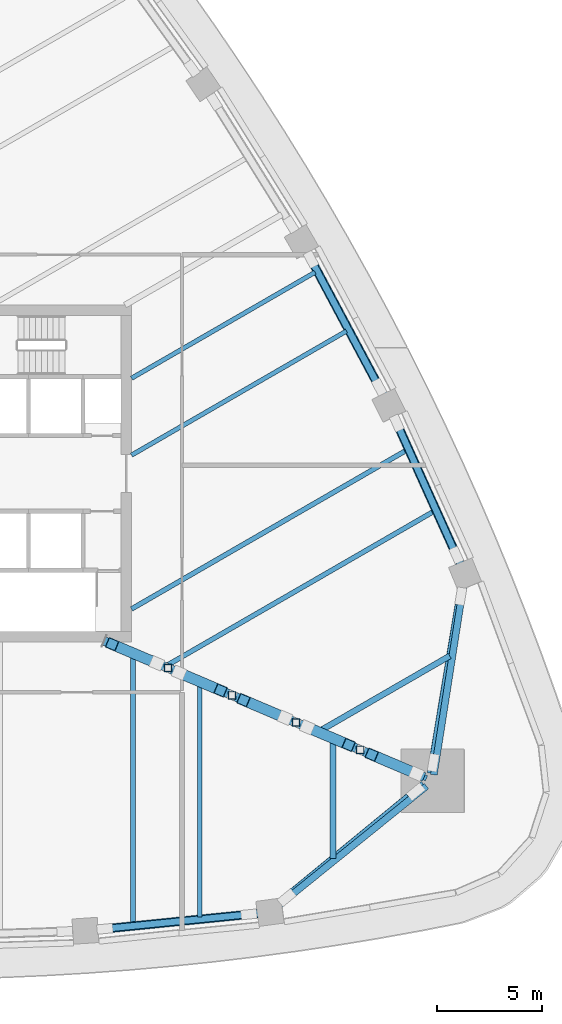
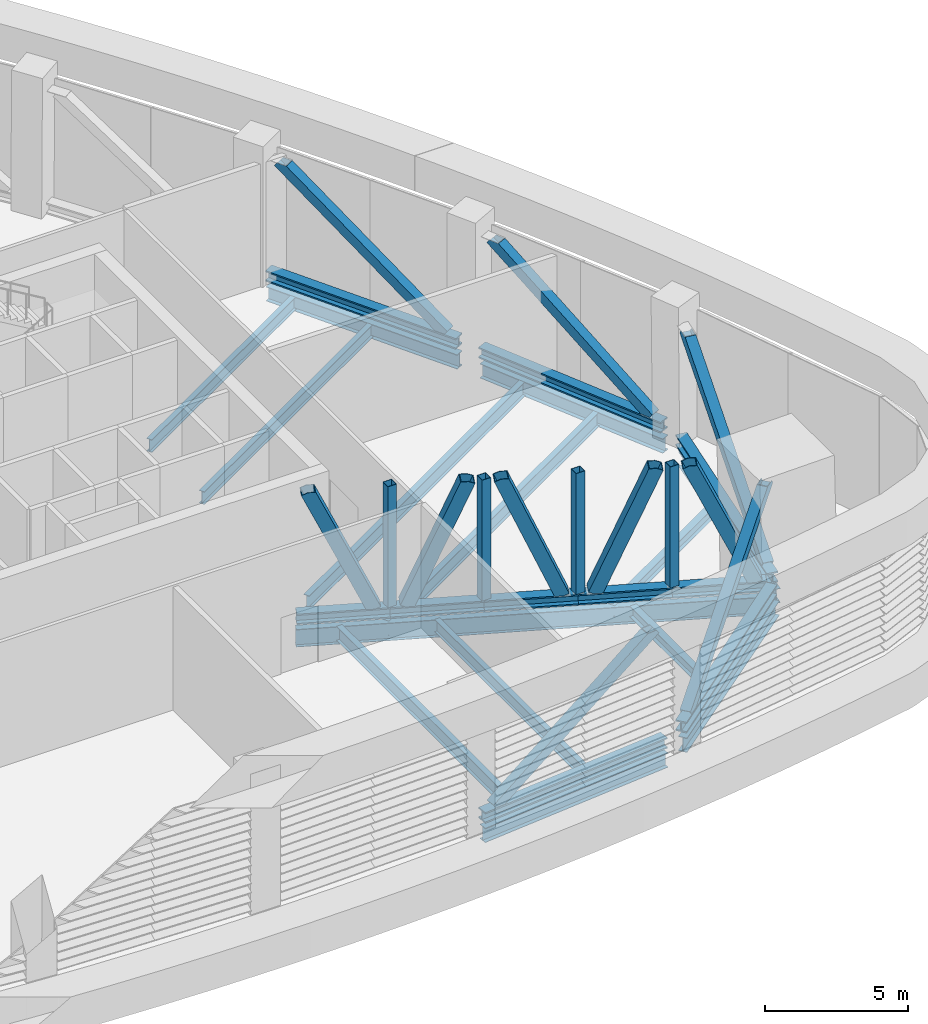
# One storey, part 3 of 18: 24 beams, 14 members.
"""IFC4 building model written with IfcOpenShell, lengths in metres."""

import ifcopenshell
import ifcopenshell.guid

model = None  # the IFC model being written
_history = None  # IfcOwnerHistory: only IFC2X3 demands one
_inside = {}  # id of a spatial element -> (the spatial element, [elements in it])
_under = {}  # id of a project, library or spatial element -> (it, [spatial elements below it])
_declared = {}  # id of a project -> (the project, [libraries it declares])
_typed = {}  # id of a type object -> (the type object, [elements of that type])
_made_of = {}  # id of a material, layer set ... -> (it, [elements and type objects made of it])


def new_model(schema):
    """Start an empty IFC model of exactly this schema.

    Asked for "IFC4X3", IfcOpenShell would pick the latest addendum, in which some entities
    have other attributes; the version numbers below select the first issue.
    IFC2X3 requires an IfcOwnerHistory on every rooted entity: one is made here for all.
    """
    global model, _history
    if schema == "IFC4X3":
        model = ifcopenshell.file(schema_version=(4, 3, 0, 0))
    else:
        model = ifcopenshell.file(schema=schema)
    _inside.clear()
    _under.clear()
    _declared.clear()
    _typed.clear()
    _made_of.clear()
    _history = None
    if model.schema == "IFC2X3":
        org = make("IfcOrganization", Name="unknown")
        user = make(
            "IfcPersonAndOrganization",
            ThePerson=make("IfcPerson", FamilyName="unknown"),
            TheOrganization=org,
        )
        app = make(
            "IfcApplication",
            ApplicationDeveloper=org,
            Version="unknown",
            ApplicationFullName="unknown",
            ApplicationIdentifier="unknown",
        )
        _history = make(
            "IfcOwnerHistory",
            OwningUser=user,
            OwningApplication=app,
            ChangeAction="ADDED",
            CreationDate=0,
        )
    return model


def make(cls, **values):
    """One entity of the class cls with the attributes given. An attribute that is None is left unset."""
    return model.create_entity(
        cls, **{name: value for name, value in values.items() if value is not None}
    )


def rooted(cls, **values):
    """An entity with a GlobalId (a new one), such as an element, a storey or a relation."""
    return make(cls, GlobalId=ifcopenshell.guid.new(), OwnerHistory=_history, **values)


def si_unit(unit_type, name, prefix=None):
    """IfcSIUnit, for example si_unit("LENGTHUNIT", "METRE", prefix="MILLI")."""
    return make("IfcSIUnit", UnitType=unit_type, Prefix=prefix, Name=name)


def assignment(units):
    """IfcUnitAssignment: the units of a project."""
    return None if units is None else make("IfcUnitAssignment", Units=units)


def point(xyz):
    """IfcCartesianPoint."""
    return None if xyz is None else make("IfcCartesianPoint", Coordinates=xyz)


def direction(xyz):
    """IfcDirection."""
    return None if xyz is None else make("IfcDirection", DirectionRatios=xyz)


def frame(location, z_axis=None, x_axis=None):
    """IfcAxis2Placement3D, a coordinate frame: its origin and axes. An axis left out is left unset."""
    return make(
        "IfcAxis2Placement3D",
        Location=point(location),
        Axis=direction(z_axis),
        RefDirection=direction(x_axis),
    )


def frame_2d(location, x_axis=None):
    """IfcAxis2Placement2D, a coordinate frame in the plane: its origin and x axis."""
    return make(
        "IfcAxis2Placement2D", Location=point(location), RefDirection=direction(x_axis)
    )


def origin():
    """The frame at (0, 0, 0) with its axes left unset."""
    return frame((0.0, 0.0, 0.0))


def origin_2d():
    """The frame at (0, 0) in the plane with its x axis left unset."""
    return frame_2d((0.0, 0.0))


def place(relative_to, where):
    """IfcLocalPlacement: puts the frame where relative to a parent placement (None: the world)."""
    return make(
        "IfcLocalPlacement", PlacementRelTo=relative_to, RelativePlacement=where
    )


def context(
    kind, dimensions, precision=None, world=None, true_north=None, identifier=None
):
    """IfcGeometricRepresentationContext, for example the 3D "Model" context."""
    return make(
        "IfcGeometricRepresentationContext",
        ContextIdentifier=identifier,
        ContextType=kind,
        CoordinateSpaceDimension=dimensions,
        Precision=precision,
        WorldCoordinateSystem=world,
        TrueNorth=true_north,
    )


def subcontext(parent, identifier, kind, view, scale=None):
    """IfcGeometricRepresentationSubContext, for example "Body" below "Model"."""
    return make(
        "IfcGeometricRepresentationSubContext",
        ContextIdentifier=identifier,
        ContextType=kind,
        ParentContext=parent,
        TargetScale=scale,
        TargetView=view,
    )


def project(units=None, contexts=None):
    """IfcProject with its units and contexts."""
    return rooted(
        "IfcProject",
        Name="project",
        RepresentationContexts=contexts,
        UnitsInContext=assignment(units),
    )


def spatial(cls, under=None, at=None, **own):
    """A site, building, storey or space (cls), placed at a placement, below another one or the project."""
    s = rooted(cls, ObjectPlacement=at, **own)
    if under is not None:
        _under.setdefault(under.id(), (under, []))[1].append(s)
    return s


def profile(cls, at=None, kind="AREA", **sizes):
    """A parametric profile (cls). Its sizes go by their IFC names, for example OverallWidth=200.0."""
    return make(cls, ProfileType=kind, Position=at, **sizes)


def hollow_rectangle(**sizes):
    """IfcRectangleHollowProfileDef."""
    return profile("IfcRectangleHollowProfileDef", **sizes)


def i_section(**sizes):
    """IfcIShapeProfileDef."""
    return profile("IfcIShapeProfileDef", **sizes)


def extrude(swept, where, along, depth):
    """IfcExtrudedAreaSolid: the profile swept, set in the frame where, extruded along a direction by depth."""
    return make(
        "IfcExtrudedAreaSolid",
        SweptArea=swept,
        Position=where,
        ExtrudedDirection=direction(along),
        Depth=depth,
    )


def clip(a, b, op="DIFFERENCE"):
    """IfcBooleanClippingResult: the solid a cut by the half space b."""
    return make(
        "IfcBooleanClippingResult", Operator=op, FirstOperand=a, SecondOperand=b
    )


def halfspace(plane, agree):
    """IfcHalfSpaceSolid: all space on one side of the plane z = 0 of the frame plane."""
    return make(
        "IfcHalfSpaceSolid",
        BaseSurface=make("IfcPlane", Position=plane),
        AgreementFlag=agree,
    )


def shape(context_of_items, identifier, shape_type, items):
    """IfcShapeRepresentation: the items that make up one representation, for example the "Body"."""
    return make(
        "IfcShapeRepresentation",
        ContextOfItems=context_of_items,
        RepresentationIdentifier=identifier,
        RepresentationType=shape_type,
        Items=items,
    )


def material(Name=None, Category=None):
    """IfcMaterial."""
    return make("IfcMaterial", Name=Name, Category=Category)


def material_profile(
    of_material, cross_section, Name=None, Category=None, Priority=None
):
    """IfcMaterialProfile: a cross section and its material."""
    return make(
        "IfcMaterialProfile",
        Name=Name,
        Material=of_material,
        Profile=cross_section,
        Priority=Priority,
        Category=Category,
    )


def profile_set(profiles, Name=None, composite=None):
    """IfcMaterialProfileSet."""
    return make(
        "IfcMaterialProfileSet",
        Name=Name,
        MaterialProfiles=profiles,
        CompositeProfile=composite,
    )


def made_of(thing, what):
    """Note that an element or type object is made of a material, layer set ...; save() writes the relation."""
    if what is not None:
        _made_of.setdefault(what.id(), (what, []))[1].append(thing)
    return thing


def type_object(cls, material=None, **own):
    """A type object (cls), such as IfcWallType, which elements share."""
    return made_of(rooted(cls, **own), material)


def element(
    cls,
    number,
    at=None,
    inside=None,
    cuts=None,
    type_object=None,
    material=None,
    context=None,
    identifier="Body",
    shape_type=None,
    held_by="IfcProductDefinitionShape",
    body=None,
    shapes=None,
    **own,
):
    """One element of the class cls, such as IfcWall. Its Tag is "e" and its number.

    at: its placement. inside: the storey or other place that contains it. cuts: it is an
    opening in that element (IfcRelVoidsElement). A single representation is given by context,
    identifier, shape_type and body (its items); several are given by shapes. held_by: the class
    of the entity that holds the representations. save() writes the other relations.
    """
    e = rooted(cls, Tag="e%d" % number, ObjectPlacement=at, **own)
    if body is not None:
        shapes = [shape(context, identifier, shape_type, body)]
    if shapes is not None:
        e.Representation = make(held_by, Representations=shapes)
    if inside is not None:
        _inside.setdefault(inside.id(), (inside, []))[1].append(e)
    if cuts is not None:
        rooted(
            "IfcRelVoidsElement", RelatingBuildingElement=cuts, RelatedOpeningElement=e
        )
    if type_object is not None:
        _typed.setdefault(type_object.id(), (type_object, []))[1].append(e)
    return made_of(e, material)


def aggregate(whole, parts):
    """IfcRelAggregates: a whole, such as a stair, and the parts it consists of."""
    return rooted("IfcRelAggregates", RelatingObject=whole, RelatedObjects=parts)


def save(model, path):
    """Write the relations noted so far, then the file.

    IfcRelAggregates (storeys below a building ...), IfcRelContainedInSpatialStructure (elements
    in a storey), IfcRelDefinesByType, IfcRelAssociatesMaterial and IfcRelDeclares: one each for
    every whole, place, type object, material and project.
    """
    for whole, parts in _under.values():
        aggregate(whole, parts)
    for where, things in _inside.values():
        rooted(
            "IfcRelContainedInSpatialStructure",
            RelatedElements=things,
            RelatingStructure=where,
        )
    for kind, things in _typed.values():
        rooted("IfcRelDefinesByType", RelatedObjects=things, RelatingType=kind)
    for what, things in _made_of.values():
        rooted("IfcRelAssociatesMaterial", RelatedObjects=things, RelatingMaterial=what)
    for by, libraries in _declared.values():
        rooted("IfcRelDeclares", RelatingContext=by, RelatedDefinitions=libraries)
    model.write(path)


model = new_model("IFC4")

# Units and contexts
model_context = context("Model", 3, precision=1e-05, world=origin(), true_north=direction((0.0, 1.0)))
body_context = subcontext(model_context, "Body", "Model", "MODEL_VIEW")
ifc_project = project(units=[si_unit("LENGTHUNIT", "METRE"), si_unit("AREAUNIT", "SQUARE_METRE"), si_unit("VOLUMEUNIT", "CUBIC_METRE"), si_unit("PLANEANGLEUNIT", "RADIAN"), si_unit("MASSUNIT", "GRAM", prefix="KILO")], contexts=[model_context])

# Site, building, storey
site_placement = place(None, origin())
site = spatial("IfcSite", under=ifc_project, at=site_placement, CompositionType="ELEMENT")
building_placement = place(site_placement, origin())
building = spatial("IfcBuilding", under=site, at=building_placement, Name="Sierra Prisma Convention Tower", CompositionType="ELEMENT")
storey_placement = place(building_placement, frame((0.0, 0.0, 112.60009765625)))
storey = spatial("IfcBuildingStorey", under=building, at=storey_placement, Name="L24", CompositionType="ELEMENT", Elevation=112.60009765625)

# Beams
ifc_material_1 = material(Name="Steel ASTM A992 Gr 50", Category="steel")
ifc_material_profile_1 = material_profile(ifc_material_1, i_section(OverallWidth=0.280029296875, OverallDepth=0.462890625, WebThickness=0.0107421875, FlangeThickness=0.017333984375, at=origin_2d()), Name="W460x113")
ifc_profile_set_1 = profile_set([ifc_material_profile_1], Name="Steel ASTM A992 Gr 50")
beam_type_1 = type_object("IfcBeamType", Name="Plant floor joist W460x113", PredefinedType="JOIST", material=ifc_profile_set_1)
beam_1_placement = place(storey_placement, frame((20.573486328125, -18.2880859375, -0.481689453125), z_axis=(0.0, 1.0, 0.0), x_axis=(-1.0, 0.0, 0.0)))
element("IfcBeam", 1, at=beam_1_placement, inside=storey, type_object=beam_type_1, Name="Floor joist L24 S15", PredefinedType="JOIST", context=body_context, shape_type="SweptSolid", body=[
    extrude(i_section(OverallWidth=0.280029296875, OverallDepth=0.462890625, WebThickness=0.0107421875, FlangeThickness=0.017333984375, at=origin_2d()), origin(), (0.0, 0.0, 1.0), 5.635986328125),
])
beam_2_placement = place(storey_placement, frame((26.12451171875, -8.673095703125, -0.481689453125), z_axis=(-0.86602732995, -0.499996663769, 0.0), x_axis=(0.499996663769, -0.86602732995, 0.0)))
element("IfcBeam", 2, at=beam_2_placement, inside=storey, type_object=beam_type_1, Name="Floor joist L24 NE02", PredefinedType="JOIST", context=body_context, shape_type="SweptSolid", body=[
    extrude(i_section(OverallWidth=0.280029296875, OverallDepth=0.462890625, WebThickness=0.0107421875, FlangeThickness=0.017333984375, at=origin_2d()), origin(), (0.0, 0.0, 1.0), 7.16748046875),
])
ifc_material_2 = material(Name="Steel ASTM A992 Gr 50", Category="steel")
ifc_material_profile_2 = material_profile(ifc_material_2, i_section(OverallWidth=0.2119140625, OverallDepth=0.5439453125, WebThickness=0.01318359375, FlangeThickness=0.021240234375, at=origin_2d()), Name="W530x123")
ifc_profile_set_2 = profile_set([ifc_material_profile_2], Name="Steel ASTM A992 Gr 50")
beam_type_2 = type_object("IfcBeamType", Name="Plant floor joist W530x123", PredefinedType="JOIST", material=ifc_profile_set_2)
beam_3_placement = place(storey_placement, frame((14.2431640625, -21.07421875, -0.522216796875), z_axis=(0.0, 1.0, 0.0), x_axis=(-1.0, 0.0, 0.0)))
element("IfcBeam", 3, at=beam_3_placement, inside=storey, type_object=beam_type_2, Name="Floor joist L24 S13", PredefinedType="JOIST", context=body_context, shape_type="SweptSolid", body=[
    extrude(i_section(OverallWidth=0.2119140625, OverallDepth=0.5439453125, WebThickness=0.01318359375, FlangeThickness=0.021240234375, at=origin_2d()), origin(), (0.0, 0.0, 1.0), 11.121826171875),
])
beam_4_placement = place(storey_placement, frame((21.215087890625, 6.766357421875, -0.522216796875), z_axis=(-0.866024620579, -0.500001356548, 0.0), x_axis=(0.500001356548, -0.866024620579, 0.0)))
element("IfcBeam", 4, at=beam_4_placement, inside=storey, type_object=beam_type_2, Name="Floor joist L24 NE07", PredefinedType="JOIST", context=body_context, shape_type="SweptSolid", body=[
    extrude(i_section(OverallWidth=0.2119140625, OverallDepth=0.5439453125, WebThickness=0.01318359375, FlangeThickness=0.021240234375, at=origin_2d()), origin(), (0.0, 0.0, 1.0), 11.79541015625),
])
beam_5_placement = place(storey_placement, frame((19.72412109375, 9.560302734375, -0.522216796875), z_axis=(-0.866025766036, -0.499999372561, 0.0), x_axis=(0.499999372561, -0.866025766036, 0.0)))
element("IfcBeam", 5, at=beam_5_placement, inside=storey, type_object=beam_type_2, Name="Floor joist L24 NE08", PredefinedType="JOIST", context=body_context, shape_type="SweptSolid", body=[
    extrude(i_section(OverallWidth=0.2119140625, OverallDepth=0.5439453125, WebThickness=0.01318359375, FlangeThickness=0.021240234375, at=origin_2d()), origin(), (0.0, 0.0, 1.0), 10.07373046875),
])
ifc_material_3 = material(Name="Steel ASTM A992 Gr 50", Category="steel")
ifc_material_profile_3 = material_profile(ifc_material_3, i_section(OverallWidth=0.22900390625, OverallDepth=0.612060546875, WebThickness=0.011962890625, FlangeThickness=0.01953125, at=origin_2d()), Name="W610x125")
ifc_profile_set_3 = profile_set([ifc_material_profile_3], Name="Steel ASTM A992 Gr 50")
beam_type_3 = type_object("IfcBeamType", Name="Plant floor joist W610x125", PredefinedType="JOIST", material=ifc_profile_set_3)
beam_6_placement = place(storey_placement, frame((11.077880859375, -21.39208984375, -0.55615234375), z_axis=(0.0, 1.0, 0.0), x_axis=(-1.0, 0.0, 0.0)))
element("IfcBeam", 6, at=beam_6_placement, inside=storey, type_object=beam_type_3, Name="Floor joist L24 S12", PredefinedType="JOIST", context=body_context, shape_type="SweptSolid", body=[
    extrude(i_section(OverallWidth=0.22900390625, OverallDepth=0.612060546875, WebThickness=0.011962890625, FlangeThickness=0.01953125, at=origin_2d()), origin(), (0.0, 0.0, 1.0), 12.78955078125),
])
beam_7_placement = place(storey_placement, frame((25.372314453125, -1.7978515625, -0.55615234375), z_axis=(-0.866024978935, -0.500000735859, 0.0), x_axis=(0.500000735859, -0.866024978935, 0.0)))
element("IfcBeam", 7, at=beam_7_placement, inside=storey, type_object=beam_type_3, Name="Floor joist L24 NE04", PredefinedType="JOIST", context=body_context, shape_type="SweptSolid", body=[
    extrude(i_section(OverallWidth=0.22900390625, OverallDepth=0.612060546875, WebThickness=0.011962890625, FlangeThickness=0.01953125, at=origin_2d()), origin(), (0.0, 0.0, 1.0), 14.70751953125),
])
beam_8_placement = place(storey_placement, frame((24.065185546875, 1.102294921875, -0.55615234375), z_axis=(-0.866024700633, -0.500001217892, 0.0), x_axis=(0.500001217892, -0.866024700633, 0.0)))
element("IfcBeam", 8, at=beam_8_placement, inside=storey, type_object=beam_type_3, Name="Floor joist L24 NE05", PredefinedType="JOIST", context=body_context, shape_type="SweptSolid", body=[
    extrude(i_section(OverallWidth=0.22900390625, OverallDepth=0.612060546875, WebThickness=0.011962890625, FlangeThickness=0.01953125, at=origin_2d()), origin(), (0.0, 0.0, 1.0), 15.08642578125),
])
ifc_material_4 = material(Name="Steel ASTM A992 Gr 50", Category="steel")
ifc_material_profile_4 = material_profile(ifc_material_4, i_section(OverallWidth=0.264892578125, OverallDepth=0.7529296875, WebThickness=0.01318359375, FlangeThickness=0.01708984375, at=origin_2d()), Name="W760x147")
ifc_profile_set_4 = profile_set([ifc_material_profile_4], Name="Steel ASTM A992 Gr 50")
beam_type_4 = type_object("IfcBeamType", Name="Radial girder W760x147", PredefinedType="BEAM", material=ifc_profile_set_4)
beam_9_placement = place(storey_placement, frame((25.02099609375, -14.4912109375, -0.626708984375), z_axis=(-0.919843646703, 0.392285184043, 0.0), x_axis=(-0.392285184043, -0.919843646703, 0.0)))
element("IfcBeam", 9, at=beam_9_placement, inside=storey, type_object=beam_type_4, Name="Radial girder L24 SE", PredefinedType="BEAM", context=body_context, shape_type="SweptSolid", body=[
    extrude(i_section(OverallWidth=0.264892578125, OverallDepth=0.7529296875, WebThickness=0.01318359375, FlangeThickness=0.01708984375, at=origin_2d()), origin(), (0.0, 0.0, 1.0), 16.667236328125),
])
ifc_material_5 = material(Name="Steel ASTM A992 Gr 50", Category="steel")
ifc_material_profile_5 = material_profile(ifc_material_5, i_section(OverallWidth=0.324951171875, OverallDepth=0.615966796875, WebThickness=0.013916015625, FlangeThickness=0.021484375, at=origin_2d()), Name="W610x174")
ifc_profile_set_5 = profile_set([ifc_material_profile_5], Name="Steel ASTM A992 Gr 50")
beam_type_5 = type_object("IfcBeamType", Name="Spandrel beam W610x174", PredefinedType="BEAM", material=ifc_profile_set_5)
beam_10_placement = place(storey_placement, frame((9.293212890625, -21.684814453125, -0.55810546875), z_axis=(0.994991258504, 0.099961970275, 0.0), x_axis=(-0.099961970275, 0.994991258504, 0.0)))
element("IfcBeam", 10, at=beam_10_placement, inside=storey, type_object=beam_type_5, Name="Spandrel L24-05", PredefinedType="BEAM", context=body_context, shape_type="SweptSolid", body=[
    extrude(i_section(OverallWidth=0.324951171875, OverallDepth=0.615966796875, WebThickness=0.013916015625, FlangeThickness=0.021484375, at=origin_2d()), origin(), (0.0, 0.0, 1.0), 7.859375),
])
beam_11_placement = place(storey_placement, frame((18.0439453125, -20.486083984375, -0.55810546875), z_axis=(0.778503206142, 0.627640628088, 0.0), x_axis=(-0.627640628088, 0.778503206142, 0.0)))
element("IfcBeam", 11, at=beam_11_placement, inside=storey, type_object=beam_type_5, Name="Spandrel L24-06", PredefinedType="BEAM", context=body_context, shape_type="SweptSolid", body=[
    extrude(i_section(OverallWidth=0.324951171875, OverallDepth=0.615966796875, WebThickness=0.013916015625, FlangeThickness=0.021484375, at=origin_2d()), origin(), (0.0, 0.0, 1.0), 8.962158203125),
])
beam_12_placement = place(storey_placement, frame((25.367919921875, -14.319091796875, -0.55810546875), z_axis=(0.154300296879, 0.988023996866, 0.0), x_axis=(-0.988023996866, 0.154300296879, 0.0)))
element("IfcBeam", 12, at=beam_12_placement, inside=storey, type_object=beam_type_5, Name="Spandrel L24-07", PredefinedType="BEAM", context=body_context, shape_type="SweptSolid", body=[
    extrude(i_section(OverallWidth=0.324951171875, OverallDepth=0.615966796875, WebThickness=0.013916015625, FlangeThickness=0.021484375, at=origin_2d()), origin(), (0.0, 0.0, 1.0), 9.044189453125),
])
for number, where, z_axis, x_axis, name in (
    (13, (26.65576171875, -4.370849609375, -0.55810546875), (-0.410905791645, 0.911677810629, 0.0), (-0.911677810629, -0.410905791645, 0.0), "Spandrel L24-08"),
    (14, (23.002685546875, 3.656005859375, -0.55810546875), (-0.470825223161, 0.882226506763, 0.0), (-0.882226506763, -0.470825223161, 0.0), "Spandrel L24-09"),
):
    element("IfcBeam", number, at=place(storey_placement, frame(where, z_axis=z_axis, x_axis=x_axis)), inside=storey, type_object=beam_type_5, Name=name, PredefinedType="BEAM", context=body_context, shape_type="SweptSolid", body=[
        extrude(i_section(OverallWidth=0.324951171875, OverallDepth=0.615966796875, WebThickness=0.013916015625, FlangeThickness=0.021484375, at=origin_2d()), origin(), (0.0, 0.0, 1.0), 7.859375),
    ])
ifc_material_6 = material(Name="Steel ASTM A992 Gr 50", Category="steel")
ifc_material_profile_6 = material_profile(ifc_material_6, i_section(OverallWidth=0.41796875, OverallDepth=0.4580078125, WebThickness=0.036376953125, FlangeThickness=0.05859375, at=origin_2d()), Name="W360x463")
ifc_profile_set_6 = profile_set([ifc_material_profile_6], Name="Steel ASTM A992 Gr 50")
beam_type_6 = type_object("IfcBeamType", Name="Truss chord W360x463", PredefinedType="BEAM", material=ifc_profile_set_6)
beam_13_placement = place(storey_placement, frame((9.260986328125, -21.68994140625, 0.22900390625), z_axis=(0.994984240351, 0.100031802213, 0.0), x_axis=(-0.100031802213, 0.994984240351, 0.0)))
element("IfcBeam", 15, at=beam_13_placement, inside=storey, type_object=beam_type_6, Name="Belt truss L24-05 bottom chord 1", PredefinedType="BEAM", context=body_context, shape_type="SweptSolid", body=[
    extrude(i_section(OverallWidth=0.41796875, OverallDepth=0.4580078125, WebThickness=0.036376953125, FlangeThickness=0.05859375, at=origin_2d()), origin(), (0.0, 0.0, 1.0), 7.8271484375),
])
beam_14_placement = place(storey_placement, frame((17.979248046875, -20.4873046875, 0.22900390625), z_axis=(0.772990491714, 0.634417606722, 0.0), x_axis=(-0.634417606722, 0.772990491714, 0.0)))
element("IfcBeam", 16, at=beam_14_placement, inside=storey, type_object=beam_type_6, Name="Belt truss L24-06 bottom chord 1", PredefinedType="BEAM", context=body_context, shape_type="SweptSolid", body=[
    extrude(i_section(OverallWidth=0.41796875, OverallDepth=0.4580078125, WebThickness=0.036376953125, FlangeThickness=0.05859375, at=origin_2d()), origin(), (0.0, 0.0, 1.0), 8.964111328125),
])
beam_15_placement = place(storey_placement, frame((25.258056640625, -14.254150390625, 0.22900390625), z_axis=(0.162946140063, 0.986634965648, 0.0), x_axis=(-0.986634965648, 0.162946140063, 0.0)))
element("IfcBeam", 17, at=beam_15_placement, inside=storey, type_object=beam_type_6, Name="Belt truss L24-07 bottom chord 1", PredefinedType="BEAM", context=body_context, shape_type="SweptSolid", body=[
    extrude(i_section(OverallWidth=0.41796875, OverallDepth=0.4580078125, WebThickness=0.036376953125, FlangeThickness=0.05859375, at=origin_2d()), origin(), (0.0, 0.0, 1.0), 9.048095703125),
])
for number, where, z_axis, x_axis, name in (
    (18, (26.63037109375, -4.311279296875, 0.22900390625), (-0.410856161502, 0.911700177995, 0.0), (-0.911700177995, -0.410856161502, 0.0), "Belt truss L24-08 bottom chord 1"),
    (19, (22.990966796875, 3.6865234375, 0.22900390625), (-0.470811636761, 0.882233757397, 0.0), (-0.882233757397, -0.470811636761, 0.0), "Belt truss L24-09 bottom chord 1"),
):
    element("IfcBeam", number, at=place(storey_placement, frame(where, z_axis=z_axis, x_axis=x_axis)), inside=storey, type_object=beam_type_6, Name=name, PredefinedType="BEAM", context=body_context, shape_type="SweptSolid", body=[
        extrude(i_section(OverallWidth=0.41796875, OverallDepth=0.4580078125, WebThickness=0.036376953125, FlangeThickness=0.05859375, at=origin_2d()), origin(), (0.0, 0.0, 1.0), 7.8271484375),
    ])
beam_16_placement = place(storey_placement, frame((24.908447265625, -14.426513671875, 0.22900390625), z_axis=(-0.920210642768, 0.391423521184, 0.0), x_axis=(-0.391423521184, -0.920210642768, 0.0)))
element("IfcBeam", 20, at=beam_16_placement, inside=storey, type_object=beam_type_6, Name="Outrigger truss L24 SE bottom chord 1", PredefinedType="BEAM", context=body_context, shape_type="SweptSolid", body=[
    extrude(i_section(OverallWidth=0.41796875, OverallDepth=0.4580078125, WebThickness=0.036376953125, FlangeThickness=0.05859375, at=origin_2d()), origin(), (0.0, 0.0, 1.0), 3.3076171875),
])
beam_17_placement = place(storey_placement, frame((21.86474609375, -13.1318359375, 0.22900390625), z_axis=(-0.920221950484, 0.391396936431, 0.0), x_axis=(-0.391396936431, -0.920221950484, 0.0)))
element("IfcBeam", 21, at=beam_17_placement, inside=storey, type_object=beam_type_6, Name="Outrigger truss L24 SE bottom chord 2", PredefinedType="BEAM", context=body_context, shape_type="SweptSolid", body=[
    extrude(i_section(OverallWidth=0.41796875, OverallDepth=0.4580078125, WebThickness=0.036376953125, FlangeThickness=0.05859375, at=origin_2d()), origin(), (0.0, 0.0, 1.0), 3.307861328125),
])
for number, where, z_axis, x_axis, name in (
    (22, (18.82080078125, -11.837158203125, 0.22900390625), (-0.920210642768, 0.391423521184, 0.0), (-0.391423521184, -0.920210642768, 0.0), "Outrigger truss L24 SE bottom chord 3"),
    (23, (15.777099609375, -10.54248046875, 0.22900390625), (-0.920210642768, 0.391423521184, 0.0), (-0.391423521184, -0.920210642768, 0.0), "Outrigger truss L24 SE bottom chord 4"),
):
    element("IfcBeam", number, at=place(storey_placement, frame(where, z_axis=z_axis, x_axis=x_axis)), inside=storey, type_object=beam_type_6, Name=name, PredefinedType="BEAM", context=body_context, shape_type="SweptSolid", body=[
        extrude(i_section(OverallWidth=0.41796875, OverallDepth=0.4580078125, WebThickness=0.036376953125, FlangeThickness=0.05859375, at=origin_2d()), origin(), (0.0, 0.0, 1.0), 3.3076171875),
    ])
beam_18_placement = place(storey_placement, frame((12.7333984375, -9.247802734375, 0.22900390625), z_axis=(-0.920215441171, 0.391412240266, 0.0), x_axis=(-0.391412240266, -0.920215441171, 0.0)))
element("IfcBeam", 24, at=beam_18_placement, inside=storey, type_object=beam_type_6, Name="Outrigger truss L24 SE bottom chord 5", PredefinedType="BEAM", context=body_context, shape_type="SweptSolid", body=[
    extrude(i_section(OverallWidth=0.41796875, OverallDepth=0.4580078125, WebThickness=0.036376953125, FlangeThickness=0.05859375, at=origin_2d()), origin(), (0.0, 0.0, 1.0), 3.292724609375),
])

# Members
ifc_material_7 = material(Name="Steel ASTM A500 Gr C", Category="steel")
ifc_material_profile_7 = material_profile(ifc_material_7, hollow_rectangle(XDim=0.406005859375, YDim=0.406005859375, WallThickness=0.01904296875, at=origin_2d()), Name="Truss diagonal HSS 406x406x19")
ifc_profile_set_7 = profile_set([ifc_material_profile_7], Name="Steel ASTM A500 Gr C")
member_type_1 = type_object("IfcMemberType", Name="Truss diagonal HSS 406x406x19", PredefinedType="BRACE", material=ifc_profile_set_7)
member_1_placement = place(storey_placement, frame((9.734375, -21.642333984375, 0.4580078125), z_axis=(0.817184082857, 0.082152941059, 0.570491953494), x_axis=(-0.100027544021, 0.994984668443, 0.0)))
element("IfcMember", 25, at=member_1_placement, inside=storey, type_object=member_type_1, Name="Belt truss L24-05 diagonal 1", PredefinedType="BRACE", context=body_context, shape_type="SweptSolid", body=[
    clip(clip(extrude(hollow_rectangle(XDim=0.406005859375, YDim=0.406005859375, WallThickness=0.01904296875, at=origin_2d()), origin(), (0.0, 0.0, 1.0), 8.37158203125), halfspace(frame((0.0, 0.01220703125, 0.008544921875), z_axis=(0.0, 0.821303190667, 0.570491953494), x_axis=(1.0, 0.0, 0.0)), True)), halfspace(frame((0.000244140625, -0.01220703125, 8.363037109375), z_axis=(0.0, -0.821303190667, -0.570491953494), x_axis=(1.0, 0.0, 0.0)), True)),
])
member_2_placement = place(storey_placement, frame((18.37646484375, -20.16162109375, 0.4580078125), z_axis=(0.662300798744, 0.543614850927, 0.515597270974), x_axis=(-0.634448119889, 0.772965447591, 0.0)))
element("IfcMember", 26, at=member_2_placement, inside=storey, type_object=member_type_1, Name="Belt truss L24-06 diagonal 1", PredefinedType="BRACE", context=body_context, shape_type="SweptSolid", body=[
    clip(clip(extrude(hollow_rectangle(XDim=0.406005859375, YDim=0.406005859375, WallThickness=0.01904296875, at=origin_2d()), origin(), (0.0, 0.0, 1.0), 9.2626953125), halfspace(frame((0.0, 0.0126953125, 0.007568359375), z_axis=(0.0, 0.856831053455, 0.515597270974), x_axis=(1.0, 0.0, 0.0)), True)), halfspace(frame((0.0, -0.0126953125, 9.255126953125), z_axis=(0.0, -0.856831053455, -0.515597270974), x_axis=(1.0, 0.0, 0.0)), True)),
])
member_3_placement = place(storey_placement, frame((25.342041015625, -13.744384765625, 0.4580078125), z_axis=(0.139993309216, 0.847574444637, 0.51187833923), x_axis=(-0.986632440953, 0.162961426294, 0.0)))
element("IfcMember", 27, at=member_3_placement, inside=storey, type_object=member_type_1, Name="Belt truss L24-07 diagonal 1", PredefinedType="BRACE", context=body_context, shape_type="SweptSolid", body=[
    clip(clip(extrude(hollow_rectangle(XDim=0.406005859375, YDim=0.406005859375, WallThickness=0.01904296875, at=origin_2d()), origin(), (0.0, 0.0, 1.0), 9.330078125), halfspace(frame((0.0, 0.0126953125, 0.007568359375), z_axis=(0.0, 0.859057952543, 0.51187833923), x_axis=(1.0, 0.0, 0.0)), True)), halfspace(frame((0.0, -0.0126953125, 9.322509765625), z_axis=(0.0, -0.859057952543, -0.51187833923), x_axis=(1.0, 0.0, 0.0)), True)),
])
member_4_placement = place(storey_placement, frame((26.434814453125, -3.87744140625, 0.4580078125), z_axis=(-0.337443488203, 0.748785671343, 0.570483926733), x_axis=(-0.91169813621, -0.410860692245, 0.0)))
element("IfcMember", 28, at=member_4_placement, inside=storey, type_object=member_type_1, Name="Belt truss L24-08 diagonal 1", PredefinedType="BRACE", context=body_context, shape_type="SweptSolid", body=[
    clip(clip(extrude(hollow_rectangle(XDim=0.406005859375, YDim=0.406005859375, WallThickness=0.01904296875, at=origin_2d()), origin(), (0.0, 0.0, 1.0), 8.37158203125), halfspace(frame((0.0, 0.01220703125, 0.008544921875), z_axis=(0.0, 0.82130876614, 0.570483926733), x_axis=(1.0, 0.0, 0.0)), True)), halfspace(frame((0.0, -0.01220703125, 8.363037109375), z_axis=(0.0, -0.82130876614, -0.570483926733), x_axis=(1.0, 0.0, 0.0)), True)),
])
member_5_placement = place(storey_placement, frame((22.766845703125, 4.106201171875, 0.4580078125), z_axis=(-0.386648922588, 0.724594895958, 0.570495265022), x_axis=(-0.882252660894, -0.470776212595, 0.0)))
element("IfcMember", 29, at=member_5_placement, inside=storey, type_object=member_type_1, Name="Belt truss L24-09 diagonal 1", PredefinedType="BRACE", context=body_context, shape_type="SweptSolid", body=[
    clip(clip(extrude(hollow_rectangle(XDim=0.406005859375, YDim=0.406005859375, WallThickness=0.01904296875, at=origin_2d()), origin(), (0.0, 0.0, 1.0), 8.37158203125), halfspace(frame((0.0, 0.01220703125, 0.008544921875), z_axis=(0.0, 0.821300890409, 0.570495265022), x_axis=(1.0, 0.0, 0.0)), True)), halfspace(frame((0.0, -0.01220703125, 8.363037109375), z_axis=(0.0, -0.821300890409, -0.570495265022), x_axis=(1.0, 0.0, 0.0)), True)),
])
ifc_material_8 = material(Name="Steel ASTM A572 Gr 50", Category="steel")
ifc_material_profile_8 = material_profile(ifc_material_8, hollow_rectangle(XDim=0.508056640625, YDim=0.508056640625, WallThickness=0.025390625, at=origin_2d()), Name="Truss diagonal HSS 508x508x25")
ifc_profile_set_8 = profile_set([ifc_material_profile_8], Name="Steel ASTM A572 Gr 50")
member_type_2 = type_object("IfcMemberType", Name="Truss diagonal HSS 508x508x25", PredefinedType="BRACE", material=ifc_profile_set_8)
member_6_placement = place(storey_placement, frame((24.54150390625, -14.2705078125, 0.4580078125), z_axis=(-0.378649948791, 0.161090980375, 0.911413140306), x_axis=(-0.391479736716, -0.920186728735, 0.0)))
element("IfcMember", 30, at=member_6_placement, inside=storey, type_object=member_type_2, Name="Outrigger truss L24 SE diagonal 1", PredefinedType="BRACE", context=body_context, shape_type="SweptSolid", body=[
    clip(clip(extrude(hollow_rectangle(XDim=0.508056640625, YDim=0.508056640625, WallThickness=0.025390625, at=origin_2d()), origin(), (0.0, 0.0, 1.0), 5.668212890625), halfspace(frame((0.0, 0.006103515625, 0.013671875), z_axis=(0.0, 0.411492512299, 0.911413140306), x_axis=(1.0, 0.0, 0.0)), True)), halfspace(frame((0.0, 0.0, 5.668212890625), z_axis=(0.0, -0.411492512299, -0.911413140306), x_axis=(1.0, 0.0, 0.0)), True)),
])
member_7_placement = place(storey_placement, frame((21.337158203125, -12.907470703125, 5.6240234375), z_axis=(-0.355145635574, 0.151065507889, -0.922524140529), x_axis=(-0.391422884339, -0.920210913658, 0.0)))
element("IfcMember", 31, at=member_7_placement, inside=storey, type_object=member_type_2, Name="Outrigger truss L24 SE diagonal 2", PredefinedType="BRACE", context=body_context, shape_type="SweptSolid", body=[
    clip(clip(extrude(hollow_rectangle(XDim=0.508056640625, YDim=0.508056640625, WallThickness=0.025390625, at=origin_2d()), origin(), (0.0, 0.0, 1.0), 5.599853515625), halfspace(frame((0.0, 0.0, 0.0), z_axis=(0.0, -0.385939386616, 0.922524140529), x_axis=(1.0, 0.0, 0.0)), True)), halfspace(frame((0.0, 0.005859375, 5.586181640625), z_axis=(0.0, 0.385939386616, -0.922524140529), x_axis=(1.0, 0.0, 0.0)), True)),
])
member_8_placement = place(storey_placement, frame((18.293212890625, -11.61279296875, 0.4580078125), z_axis=(-0.35510753603, 0.15106784682, 0.922538423867), x_axis=(-0.391463577144, -0.920193603417, 0.0)))
element("IfcMember", 32, at=member_8_placement, inside=storey, type_object=member_type_2, Name="Outrigger truss L24 SE diagonal 3", PredefinedType="BRACE", context=body_context, shape_type="SweptSolid", body=[
    clip(clip(extrude(hollow_rectangle(XDim=0.508056640625, YDim=0.508056640625, WallThickness=0.025390625, at=origin_2d()), origin(), (0.0, 0.0, 1.0), 5.599853515625), halfspace(frame((0.0, 0.005859375, 0.013671875), z_axis=(0.0, 0.385905242888, 0.922538423867), x_axis=(1.0, 0.0, 0.0)), True)), halfspace(frame((0.0, 0.0, 5.599853515625), z_axis=(0.0, -0.385905242888, -0.922538423867), x_axis=(1.0, 0.0, 0.0)), True)),
])
member_9_placement = place(storey_placement, frame((15.24951171875, -10.318115234375, 5.6240234375), z_axis=(-0.35510753603, 0.15106784682, -0.922538423867), x_axis=(-0.391463577144, -0.920193603417, 0.0)))
element("IfcMember", 33, at=member_9_placement, inside=storey, type_object=member_type_2, Name="Outrigger truss L24 SE diagonal 4", PredefinedType="BRACE", context=body_context, shape_type="SweptSolid", body=[
    clip(clip(extrude(hollow_rectangle(XDim=0.508056640625, YDim=0.508056640625, WallThickness=0.025390625, at=origin_2d()), origin(), (0.0, 0.0, 1.0), 5.599853515625), halfspace(frame((0.0, 0.0, 0.0), z_axis=(0.0, -0.385905242888, 0.922538423867), x_axis=(1.0, 0.0, 0.0)), True)), halfspace(frame((0.0, 0.005859375, 5.5859375), z_axis=(0.0, 0.385905242888, -0.922538423867), x_axis=(1.0, 0.0, 0.0)), True)),
])
member_10_placement = place(storey_placement, frame((12.20263671875, -9.02197265625, 0.4580078125), z_axis=(-0.378652575762, 0.161049025227, 0.911419463443), x_axis=(-0.391391099459, -0.920224433095, 0.0)))
element("IfcMember", 34, at=member_10_placement, inside=storey, type_object=member_type_2, Name="Outrigger truss L24 SE diagonal 5", PredefinedType="BRACE", context=body_context, shape_type="SweptSolid", body=[
    clip(clip(extrude(hollow_rectangle(XDim=0.508056640625, YDim=0.508056640625, WallThickness=0.025390625, at=origin_2d()), origin(), (0.0, 0.0, 1.0), 5.668212890625), halfspace(frame((0.0, 0.006103515625, 0.013671875), z_axis=(0.0, 0.411478506921, 0.911419463443), x_axis=(1.0, 0.0, 0.0)), True)), halfspace(frame((0.0, 0.0, 5.668212890625), z_axis=(0.0, -0.411478506921, -0.911419463443), x_axis=(1.0, 0.0, 0.0)), True)),
])
ifc_material_9 = material(Name="Steel ASTM A500 Gr C", Category="steel")
ifc_material_profile_9 = material_profile(ifc_material_9, hollow_rectangle(XDim=0.35595703125, YDim=0.35595703125, WallThickness=0.015869140625, at=origin_2d()), Name="Truss post HSS 356x356x16")
ifc_profile_set_9 = profile_set([ifc_material_profile_9], Name="Steel ASTM A500 Gr C")
member_type_3 = type_object("IfcMemberType", Name="Truss post HSS 356x356x16", PredefinedType="POST", material=ifc_profile_set_9)
for number, where, z_axis, x_axis, name in (
    (35, (21.86474609375, -13.1318359375, 0.472900390625), (0.0, 0.0, 1.0), (1.0, 0.0, 0.0), "Outrigger truss L24 SE post 1"),
    (36, (18.82080078125, -11.837158203125, 0.472900390625), (0.0, 0.0, 1.0), (1.0, 0.0, 0.0), "Outrigger truss L24 SE post 2"),
    (37, (15.777099609375, -10.54248046875, 0.472900390625), (0.0, 0.0, 1.0), (1.0, 0.0, 0.0), "Outrigger truss L24 SE post 3"),
    (38, (12.7333984375, -9.247802734375, 0.472900390625), (0.0, 0.0, 1.0), (1.0, 0.0, 0.0), "Outrigger truss L24 SE post 4"),
):
    element("IfcMember", number, at=place(storey_placement, frame(where, z_axis=z_axis, x_axis=x_axis)), inside=storey, type_object=member_type_3, Name=name, PredefinedType="POST", context=body_context, shape_type="SweptSolid", body=[
        extrude(hollow_rectangle(XDim=0.35595703125, YDim=0.35595703125, WallThickness=0.015869140625, at=origin_2d()), origin(), (0.0, 0.0, 1.0), 5.151123046875),
    ])

save(model, "model.ifc")
